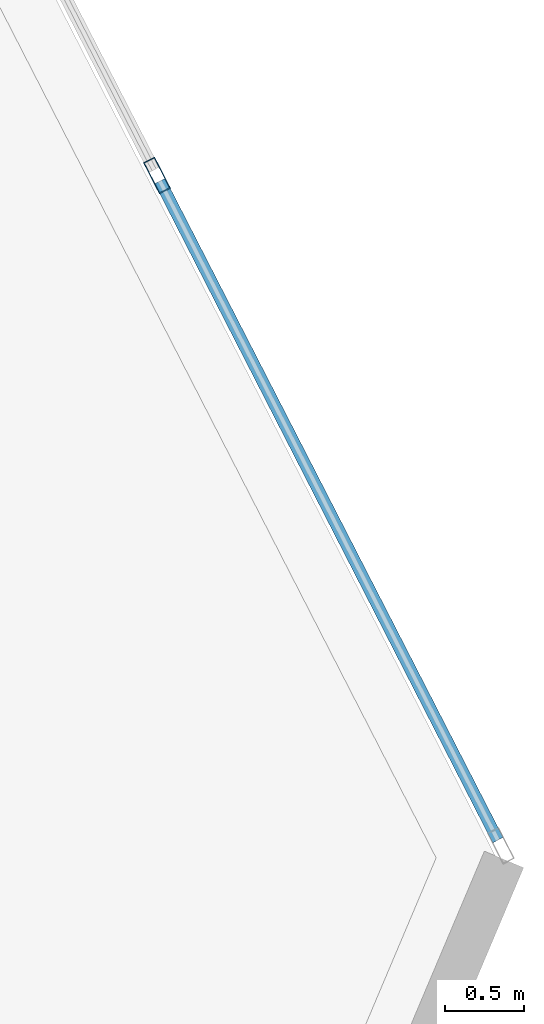
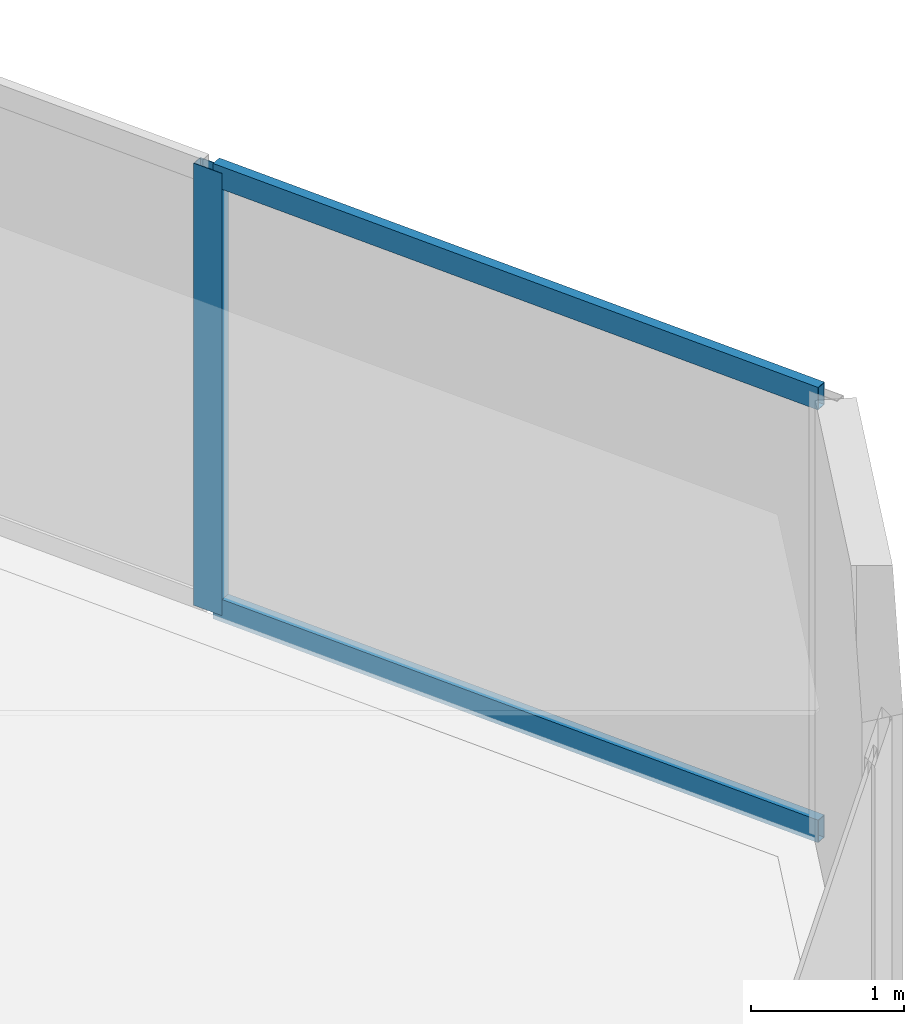
# One storey, part 13 of 23: 3 members, 1 element without a shape of its own.
"""IFC4 building model written with IfcOpenShell, lengths in metres."""

from ifc_helpers import new_model, si_unit, direction, frame, origin, origin_2d, place, context, subcontext, project, spatial, hollow_rectangle, extrude, source, transform, mapped, material, layer, layer_set, material_profile, profile_set, type_object, type_shapes, element, aggregate, save


model = new_model("IFC4")

# Units and contexts
model_context = context("Model", 3, precision=1e-05, world=origin(), true_north=direction((0.0, 1.0)))
body_context = subcontext(model_context, "Body", "Model", "MODEL_VIEW")
ifc_project = project(units=[si_unit("LENGTHUNIT", "METRE"), si_unit("AREAUNIT", "SQUARE_METRE"), si_unit("VOLUMEUNIT", "CUBIC_METRE"), si_unit("PLANEANGLEUNIT", "RADIAN"), si_unit("MASSUNIT", "GRAM", prefix="KILO")], contexts=[model_context])

# Site, building, storey
site_placement = place(None, origin())
site = spatial("IfcSite", under=ifc_project, at=site_placement, CompositionType="ELEMENT")
building_placement = place(site_placement, origin())
building = spatial("IfcBuilding", under=site, at=building_placement, Name="Talar Marvaseh", CompositionType="ELEMENT")
storey_placement = place(building_placement, frame((0.0, 0.0, 46.800048828125)))
storey = spatial("IfcBuildingStorey", under=building, at=storey_placement, Name="L11", CompositionType="ELEMENT", Elevation=46.800048828125)

# Curtain wall, members
ifc_material = material(Name="Architectural Aluminium", Category="aluminium")
ifc_layer = layer(ifc_material, 0.219970703125)
ifc_layer_set = layer_set([ifc_layer], Name="Architectural Aluminium")
curtain_wall_type = type_object("IfcCurtainWallType", Name="Unitised Low-E Museum Curtain Wall Z1", PredefinedType="NOTDEFINED", material=ifc_layer_set)
curtain_wall_placement = place(storey_placement, origin())
curtain_wall = element("IfcCurtainWall", 1, at=curtain_wall_placement, inside=storey, type_object=curtain_wall_type, Name="L11 Unitised Low-E Museum Curtain Wall Z1", PredefinedType="NOTDEFINED")
ifc_material_profile_1 = material_profile(ifc_material, hollow_rectangle(XDim=0.080078125, YDim=0.219970703125, WallThickness=0.0048828125, at=origin_2d()), Name="RHS220x80x5")
ifc_profile_set_1 = profile_set([ifc_material_profile_1], Name="Architectural Aluminium")
member_type_1 = type_object("IfcMemberType", Name="Unitised Curtain Wall Heavy Mullion RHS220x80x5", PredefinedType="MULLION", material=ifc_profile_set_1)
shared_shape_1 = source(origin(), body_context, "Body", "SweptSolid", [
    extrude(hollow_rectangle(XDim=0.080078125, YDim=0.219970703125, WallThickness=0.0048828125, at=origin_2d()), origin(), (0.0, 0.0, 1.0), 3.52001953125),
])
type_shapes(member_type_1, [shared_shape_1])
member_1_placement = place(storey_placement, frame((49.98486328125, 28.62451171875, 0.0), z_axis=(0.0, 0.0, 1.0), x_axis=(0.889785469993, 0.456379028209, 0.0)))
member_1 = element("IfcMember", 2, at=member_1_placement, type_object=member_type_1, Name="CW-Z1 mullion 4", PredefinedType="MULLION", context=body_context, shape_type="MappedRepresentation", body=[
    mapped(shared_shape_1, transform((0.0, 0.0, 0.0), x_axis=(1.0, 0.0, 0.0), y_axis=(0.0, 1.0, 0.0), z_axis=(0.0, 0.0, 1.0), scale=1.0)),
])
ifc_material_profile_2 = material_profile(ifc_material, hollow_rectangle(XDim=0.074951171875, YDim=0.179931640625, WallThickness=0.0048828125, at=origin_2d()), Name="RHS180x75x5")
ifc_profile_set_2 = profile_set([ifc_material_profile_2], Name="Architectural Aluminium")
member_type_2 = type_object("IfcMemberType", Name="Unitised Curtain Wall Transom RHS180x75x5", PredefinedType="USERDEFINED", material=ifc_profile_set_2)
shared_shape_2 = source(origin(), body_context, "Body", "SweptSolid", [
    extrude(hollow_rectangle(XDim=0.074951171875, YDim=0.179931640625, WallThickness=0.0048828125, at=origin_2d()), origin(), (0.0, 0.0, 1.0), 4.696533203125),
])
type_shapes(member_type_2, [shared_shape_2])
member_2_placement = place(storey_placement, frame((50.003173828125, 28.5888671875, 0.037353515625), z_axis=(0.456359916723, -0.889795272188, 0.0), x_axis=(0.889795272188, 0.456359916723, 0.0)))
member_2 = element("IfcMember", 3, at=member_2_placement, type_object=member_type_2, Name="CW-Z1 transom 4.1", ObjectType="TRANSOM", PredefinedType="USERDEFINED", context=body_context, shape_type="MappedRepresentation", body=[
    mapped(shared_shape_2, transform((0.0, 0.0, 0.0), x_axis=(1.0, 0.0, 0.0), y_axis=(0.0, 1.0, 0.0), z_axis=(0.0, 0.0, 1.0), scale=1.0)),
])
member_3_placement = place(storey_placement, frame((50.003173828125, 28.5888671875, 3.482421875), z_axis=(0.456359916723, -0.889795272188, 0.0), x_axis=(0.889795272188, 0.456359916723, 0.0)))
member_3 = element("IfcMember", 4, at=member_3_placement, type_object=member_type_2, Name="CW-Z1 transom 4.2", ObjectType="TRANSOM", PredefinedType="USERDEFINED", context=body_context, shape_type="MappedRepresentation", body=[
    mapped(shared_shape_2, transform((0.0, 0.0, 0.0), x_axis=(1.0, 0.0, 0.0), y_axis=(0.0, 1.0, 0.0), z_axis=(0.0, 0.0, 1.0), scale=1.0)),
])
aggregate(curtain_wall, [member_1, member_2, member_3])

save(model, "model.ifc")
